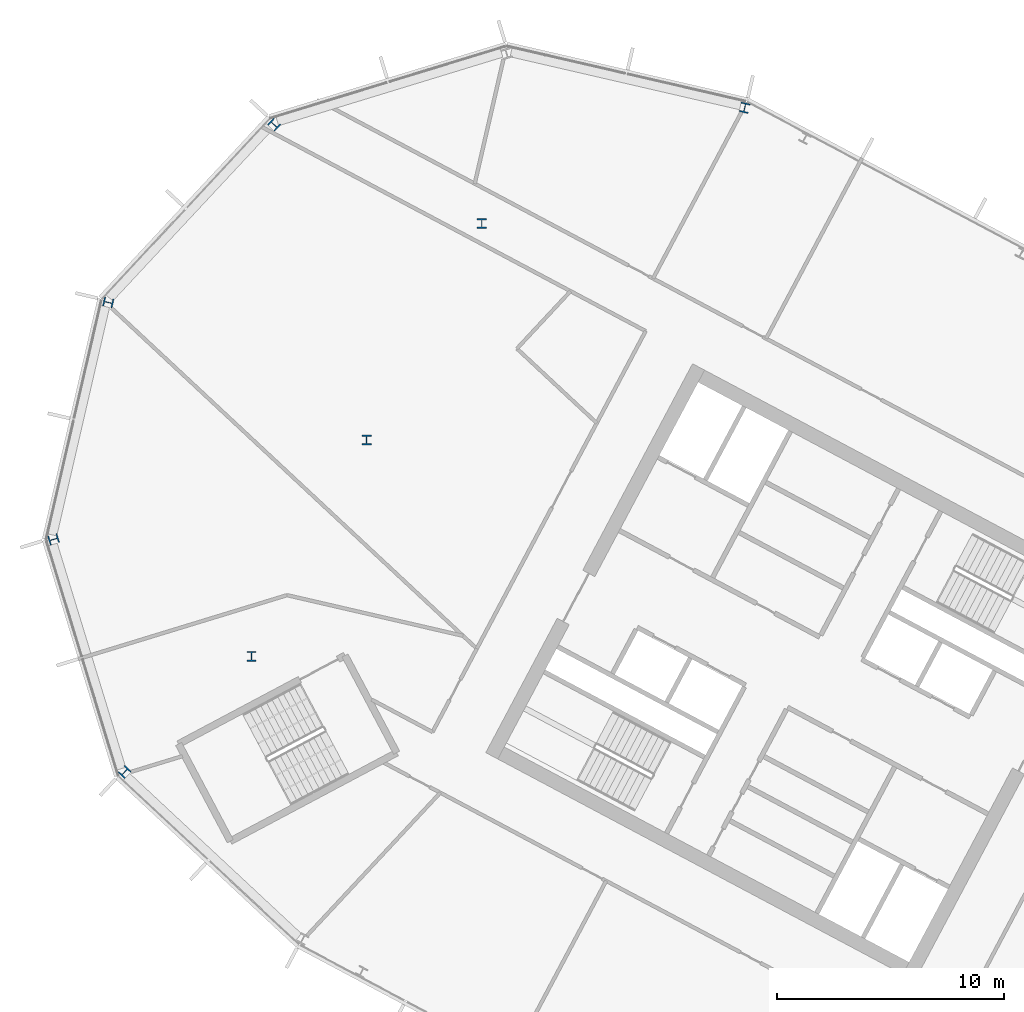
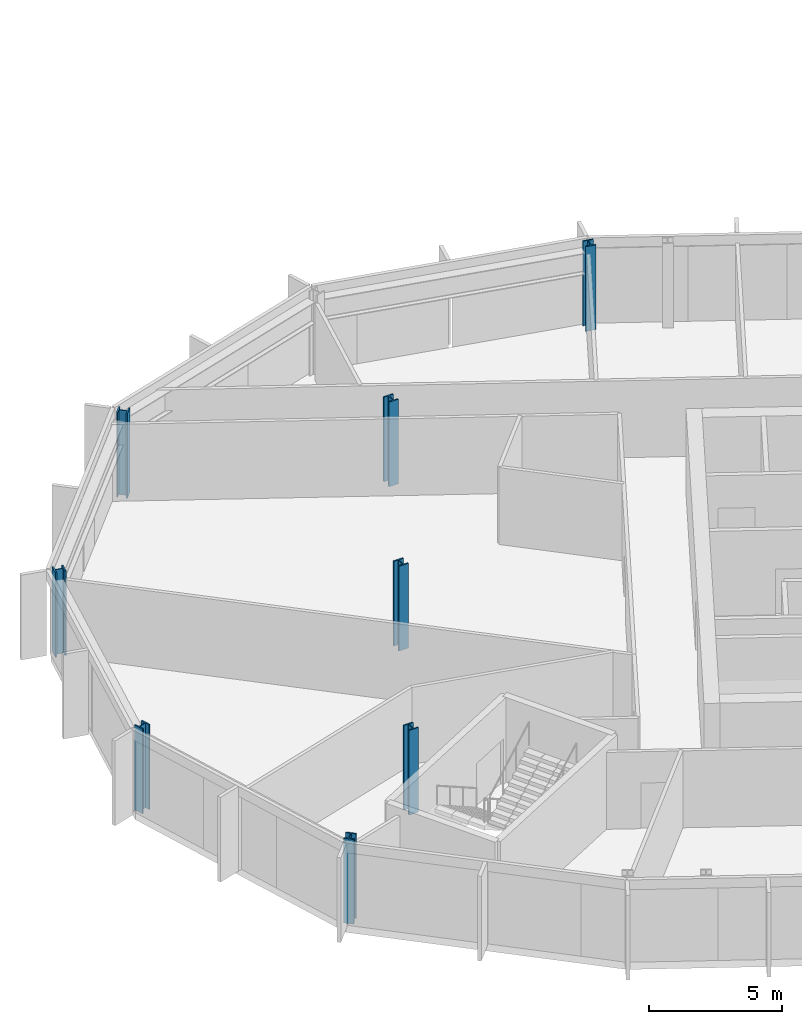
# One storey, part 3 of 27: 8 columns.
"""IFC4 building model written with IfcOpenShell, lengths in metres."""

from ifc_helpers import new_model, si_unit, direction, frame, origin, origin_2d, place, context, subcontext, project, spatial, i_section, extrude, material, material_profile, profile_set, type_object, element, save


model = new_model("IFC4")

# Units and contexts
model_context = context("Model", 3, precision=1e-05, world=origin(), true_north=direction((0.0, 1.0)))
body_context = subcontext(model_context, "Body", "Model", "MODEL_VIEW")
ifc_project = project(units=[si_unit("LENGTHUNIT", "METRE"), si_unit("AREAUNIT", "SQUARE_METRE"), si_unit("VOLUMEUNIT", "CUBIC_METRE"), si_unit("PLANEANGLEUNIT", "RADIAN"), si_unit("MASSUNIT", "GRAM", prefix="KILO")], contexts=[model_context])

# Site, building, storey
site_placement = place(None, origin())
site = spatial("IfcSite", under=ifc_project, at=site_placement, CompositionType="ELEMENT")
building_placement = place(site_placement, origin())
building = spatial("IfcBuilding", under=site, at=building_placement, Name="Cormorant Relay Tower", CompositionType="ELEMENT")
storey_placement = place(building_placement, frame((0.0, 0.0, 224.699951171875)))
storey = spatial("IfcBuildingStorey", under=building, at=storey_placement, Name="L49", CompositionType="ELEMENT", Elevation=224.699951171875)

# Columns
ifc_material = material(Name="Steel ASTM A992 (Fy 345 MPa)", Category="steel")
ifc_material_profile = material_profile(ifc_material, i_section(OverallWidth=0.41162109375, OverallDepth=0.434326171875, WebThickness=0.035888671875, FlangeThickness=0.057373046875, FilletRadius=0.01513671875, at=origin_2d()), Name="W360x463")
ifc_profile_set = profile_set([ifc_material_profile], Name="Steel ASTM A992 (Fy 345 MPa)")
column_type = type_object("IfcColumnType", Name="Column W360x463", PredefinedType="COLUMN", material=ifc_profile_set)
for number, where, z_axis, x_axis, name in (
    (1, (-57.279052734375, 10.162109375, 0.0), (0.0, 0.0, 1.0), (0.731353701619, -0.681998360062, 0.0), "Column L49-022"),
    (2, (-51.68994140625, 15.251953125, 0.0), (0.0, 0.0, 1.0), (1.0, 0.0, 0.0), "Column L49-027"),
    (3, (-60.409912109375, 20.404052734375, 0.0), (0.0, 0.0, 1.0), (0.292371704723, -0.956304755963, 0.0), "Column L49-028"),
    (4, (-46.6201171875, 24.7880859375, 0.0), (0.0, 0.0, 1.0), (1.0, 0.0, 0.0), "Column L49-031"),
    (5, (-58.0009765625, 30.840087890625, 0.0), (0.0, 0.0, 1.0), (-0.224951054344, -0.974370064785, 0.0), "Column L49-034"),
    (6, (-41.549072265625, 34.323974609375, 0.0), (0.0, 0.0, 1.0), (1.0, 0.0, 0.0), "Column L49-038"),
    (7, (-50.697021484375, 38.672119140625, 0.0), (0.0, 0.0, 1.0), (-0.681998360062, -0.731353701619, 0.0), "Column L49-042"),
    (8, (-29.968017578125, 39.4150390625, 0.0), (0.0, 0.0, 1.0), (-0.974370064785, 0.224951054344, 0.0), "Column L49-044"),
):
    element("IfcColumn", number, at=place(storey_placement, frame(where, z_axis=z_axis, x_axis=x_axis)), inside=storey, type_object=column_type, Name=name, PredefinedType="COLUMN", context=body_context, shape_type="SweptSolid", body=[
        extrude(i_section(OverallWidth=0.41162109375, OverallDepth=0.434326171875, WebThickness=0.035888671875, FlangeThickness=0.057373046875, FilletRadius=0.01513671875, at=origin_2d()), origin(), (0.0, 0.0, 1.0), 3.900146484375),
    ])

save(model, "model.ifc")
